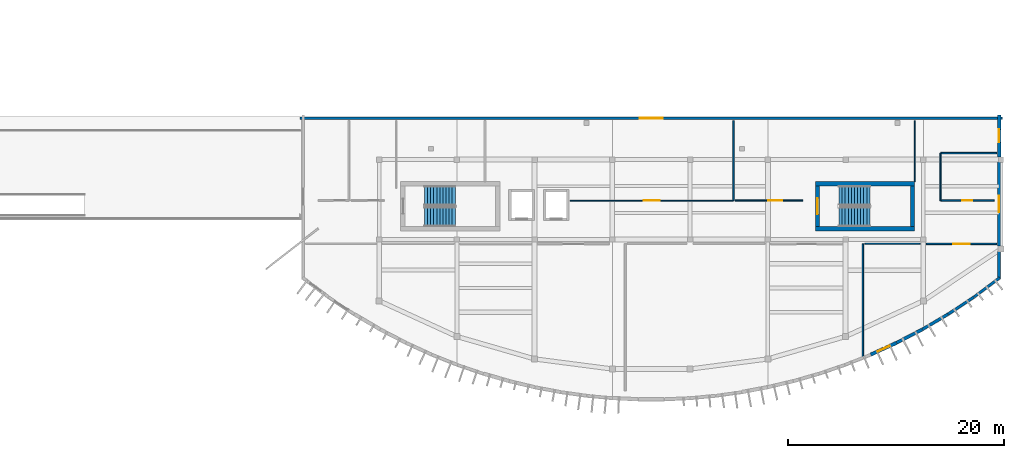
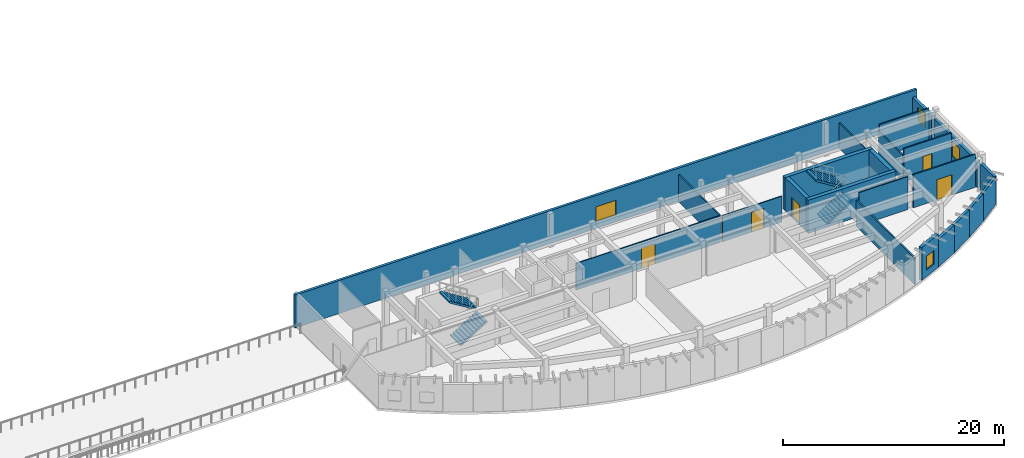
# One storey, part 23 of 32: 23 walls, 5 doors, 4 stair flights, 4 windows, 9 openings, 2 elements without a shape of their own.
"""IFC4 building model written with IfcOpenShell, lengths in metres."""

from ifc_helpers import new_model, si_unit, direction, frame, frame_2d, origin, place, context, subcontext, project, spatial, polyline, rectangle, outline, extrude, material, layer, layer_set, type_object, element, fill, aggregate, save


model = new_model("IFC4")

# Units and contexts
model_context = context("Model", 3, precision=1e-05, world=origin(), true_north=direction((0.0, 1.0)))
body_context = subcontext(model_context, "Body", "Model", "MODEL_VIEW")
ifc_project = project(units=[si_unit("LENGTHUNIT", "METRE"), si_unit("AREAUNIT", "SQUARE_METRE"), si_unit("VOLUMEUNIT", "CUBIC_METRE"), si_unit("PLANEANGLEUNIT", "RADIAN"), si_unit("MASSUNIT", "GRAM", prefix="KILO")], contexts=[model_context])

# Site, building, storey
site_placement = place(None, origin())
site = spatial("IfcSite", under=ifc_project, at=site_placement, CompositionType="ELEMENT")
building_placement = place(site_placement, origin())
building = spatial("IfcBuilding", under=site, at=building_placement, Name="Brisavento Harbour Community Centre", CompositionType="ELEMENT")
storey_placement = place(building_placement, frame((0.0, 0.0, 12.89990234375)))
storey = spatial("IfcBuildingStorey", under=building, at=storey_placement, Name="L03", CompositionType="ELEMENT", Elevation=12.89990234375)

# Walls
ifc_material_1 = material(Name="Concrete C40/50", Category="concrete")
ifc_layer_1 = layer(ifc_material_1, 0.39990234375, Name="Concrete C40/50")
ifc_layer_set_1 = layer_set([ifc_layer_1], Name="Concrete C40/50")
wall_type_1 = type_object("IfcWallType", Name="WL-CORE-400", PredefinedType="SHEAR", material=ifc_layer_set_1)
for number, where, z_axis, x_axis, name in (
    (1, (155.60009765625, 16.0, 0.0), (0.0, 0.0, 1.0), (1.0, 0.0, 0.0), "L03 core C3B shear wall L"),
    (2, (164.800048828125, 20.14990234375, 0.0), (0.0, 0.0, 1.0), (-1.0, 0.0, 0.0), "L03 core C3B shear wall R"),
):
    element("IfcWall", number, at=place(storey_placement, frame(where, z_axis=z_axis, x_axis=x_axis)), inside=storey, type_object=wall_type_1, Name=name, PredefinedType="SHEAR", context=body_context, shape_type="SweptSolid", body=[
        extrude(rectangle(XDim=9.199951171875, YDim=0.39990234375, at=frame_2d((4.60009765625, 0.0))), origin(), (0.0, 0.0, 1.0), 3.66015625),
    ])
wall_1_placement = place(storey_placement, frame((164.60009765625, 16.199951171875, 0.0), z_axis=(0.0, 0.0, 1.0), x_axis=(0.0, 1.0, 0.0)))
element("IfcWall", 3, at=wall_1_placement, inside=storey, type_object=wall_type_1, Name="L03 core C3B shear wall F", PredefinedType="SHEAR", context=body_context, shape_type="SweptSolid", body=[
    extrude(rectangle(XDim=3.75, YDim=0.39990234375, at=frame_2d((1.875, 0.0))), origin(), (0.0, 0.0, 1.0), 3.66015625),
])

# Wall, opening, door
wall_2_placement = place(storey_placement, frame((155.800048828125, 19.949951171875, 0.0), z_axis=(0.0, 0.0, 1.0), x_axis=(0.0, -1.0, 0.0)))
wall_2 = element("IfcWall", 4, at=wall_2_placement, inside=storey, type_object=wall_type_1, Name="L03 core C3B shear wall N", PredefinedType="SHEAR", context=body_context, shape_type="SweptSolid", body=[
    extrude(rectangle(XDim=3.75, YDim=0.39990234375, at=frame_2d((1.875, 0.0))), origin(), (0.0, 0.0, 1.0), 3.66015625),
])
opening_1_placement = place(wall_2_placement, frame((1.125, 0.0, 0.0)))
opening_1 = element("IfcOpeningElement", 5, at=opening_1_placement, cuts=wall_2, Name="Opening SD-01", PredefinedType="OPENING", context=body_context, shape_type="SweptSolid", body=[
    extrude(rectangle(XDim=1.5, YDim=2.199951171875, at=frame_2d((0.75, 1.10009765625))), frame((0.0, 0.2099609375, 0.0), z_axis=(0.0, -1.0, 0.0), x_axis=(1.0, 0.0, 0.0)), (0.0, 0.0, 1.0), 0.419921875),
])
ifc_material_2 = material(Name="Fire-rated steel door assembly", Category="steel")
door_type_1 = type_object("IfcDoorType", Name="DR-STAIR-150x220", OperationType="NOTDEFINED", PredefinedType="DOOR", material=ifc_material_2)
door_1_placement = place(opening_1_placement, origin())
door_1 = element("IfcDoor", 6, at=door_1_placement, inside=storey, type_object=door_type_1, Name="L03 exit stair ST-05 fire door", OperationType="SINGLE_SWING_RIGHT", OverallHeight=2.199951171875, OverallWidth=1.5, PredefinedType="DOOR", context=body_context, shape_type="SweptSolid", body=[
    extrude(rectangle(XDim=1.5, YDim=2.199951171875, at=frame_2d((0.75, 1.10009765625))), frame((0.0, 0.02490234375, 0.0), z_axis=(0.0, -1.0, 0.0), x_axis=(1.0, 0.0, 0.0)), (0.0, 0.0, 1.0), 0.050048828125),
])
fill(opening_1, door_1)

# Walls
ifc_material_3 = material(Name="Terracotta masonry unit", Category="masonry")
ifc_layer_2 = layer(ifc_material_3, 0.239990234375, Name="Terracotta masonry unit")
ifc_layer_set_2 = layer_set([ifc_layer_2], Name="Terracotta masonry unit")
wall_type_2 = type_object("IfcWallType", Name="WL-EXT-240", PredefinedType="SOLIDWALL", material=ifc_layer_set_2)
wall_3_placement = place(storey_placement, frame((172.677490234375, 11.4609375, 0.0), z_axis=(0.0, 0.0, 1.0), x_axis=(-0.799802311873, -0.600263493744, 0.0)))
element("IfcWall", 7, at=wall_3_placement, inside=storey, type_object=wall_type_2, Name="L03 V3 exterior wall 0298", PredefinedType="SOLIDWALL", context=body_context, shape_type="SweptSolid", body=[
    extrude(rectangle(XDim=2.964599609375, YDim=0.239990234375, at=frame_2d((1.482421875, 0.0))), origin(), (0.0, 0.0, 1.0), 3.06005859375),
])
ifc_layer_3 = layer(ifc_material_3, 0.260009765625, Name="Terracotta masonry unit")
ifc_layer_set_3 = layer_set([ifc_layer_3], Name="Terracotta masonry unit")
wall_type_3 = type_object("IfcWallType", Name="WL-EXT-260", PredefinedType="SOLIDWALL", material=ifc_layer_set_3)
wall_4_placement = place(storey_placement, frame((170.285400390625, 9.66650390625, 0.0), z_axis=(0.0, 0.0, 1.0), x_axis=(-0.83248539698, -0.55404698701, 0.0)))
element("IfcWall", 8, at=wall_4_placement, inside=storey, type_object=wall_type_3, Name="L03 V3 exterior wall 0297", PredefinedType="SOLIDWALL", context=body_context, shape_type="SweptSolid", body=[
    extrude(rectangle(XDim=2.846923828125, YDim=0.260009765625, at=frame_2d((1.42333984375, 0.0))), origin(), (0.0, 0.0, 1.0), 3.06005859375),
])

# Wall, opening, window
wall_5_placement = place(storey_placement, frame((107.85009765625, 26.219970703125, 0.0), z_axis=(0.0, 0.0, 1.0), x_axis=(1.0, 0.0, 0.0)))
wall_5 = element("IfcWall", 9, at=wall_5_placement, inside=storey, type_object=wall_type_3, Name="L03 V3 exterior wall 0302", PredefinedType="SOLIDWALL", context=body_context, shape_type="SweptSolid", body=[
    extrude(rectangle(XDim=65.099853515625, YDim=0.260009765625, at=frame_2d((32.5498046875, 0.0))), origin(), (0.0, 0.0, 1.0), 3.66015625),
])
opening_2_placement = place(wall_5_placement, frame((31.5, 0.0, 0.75)))
opening_2 = element("IfcOpeningElement", 10, at=opening_2_placement, cuts=wall_5, Name="Opening W-22", PredefinedType="OPENING", context=body_context, shape_type="SweptSolid", body=[
    extrude(rectangle(XDim=2.10009765625, YDim=1.64990234375, at=frame_2d((1.050048828125, 0.824951171875))), frame((0.0, 0.14013671875, 0.0), z_axis=(0.0, -1.0, 0.0), x_axis=(1.0, 0.0, 0.0)), (0.0, 0.0, 1.0), 0.280029296875),
])
ifc_material_4 = material(Name="Solar-control laminated low-E glass", Category="glass")
window_type_1 = type_object("IfcWindowType", Name="WIN-CAS-22", PartitioningType="SINGLE_PANEL", PredefinedType="WINDOW", material=ifc_material_4)
window_1_placement = place(opening_2_placement, origin())
window_1 = element("IfcWindow", 11, at=window_1_placement, inside=storey, type_object=window_type_1, Name="L03 V3 impact casement window 0166", OverallHeight=1.64990234375, OverallWidth=2.10009765625, PartitioningType="SINGLE_PANEL", PredefinedType="WINDOW", context=body_context, shape_type="SweptSolid", body=[
    extrude(rectangle(XDim=2.10009765625, YDim=1.64990234375, at=frame_2d((1.050048828125, 0.824951171875))), frame((0.0, 0.030029296875, 0.0), z_axis=(0.0, -1.0, 0.0), x_axis=(1.0, 0.0, 0.0)), (0.0, 0.0, 1.0), 0.06005859375),
])
fill(opening_2, window_1)

# Walls
ifc_material_5 = material(Name="Precast concrete C40/50", Category="concrete")
ifc_layer_4 = layer(ifc_material_5, 0.280029296875, Name="Precast concrete C40/50")
ifc_layer_set_4 = layer_set([ifc_layer_4], Name="Precast concrete C40/50")
wall_type_4 = type_object("IfcWallType", Name="WL-EXT-280", PredefinedType="SOLIDWALL", material=ifc_layer_set_4)
wall_6_placement = place(storey_placement, frame((167.89306640625, 8.0751953125, 0.0), z_axis=(0.0, 0.0, 1.0), x_axis=(-0.861415701697, -0.507900569866, 0.0)))
element("IfcWall", 12, at=wall_6_placement, inside=storey, type_object=wall_type_4, Name="L03 V3 exterior wall 0296", PredefinedType="SOLIDWALL", context=body_context, shape_type="SweptSolid", body=[
    extrude(rectangle(XDim=2.75, YDim=0.280029296875, at=frame_2d((1.375, 0.0))), origin(), (0.0, 0.0, 1.0), 3.06005859375),
])
wall_7_placement = place(storey_placement, frame((172.6201171875, 13.867919921875, 0.0), z_axis=(0.0, 0.0, 1.0), x_axis=(0.0, -1.0, 0.0)))
element("IfcWall", 13, at=wall_7_placement, inside=storey, type_object=wall_type_4, Name="L03 V3 exterior wall 0301", PredefinedType="SOLIDWALL", context=body_context, shape_type="SweptSolid", body=[
    extrude(rectangle(XDim=2.522216796875, YDim=0.280029296875, at=frame_2d((1.26123046875, 0.0))), origin(), (0.0, 0.0, 1.0), 3.06005859375),
])
ifc_material_6 = material(Name="Concrete C35/45", Category="concrete")
ifc_layer_5 = layer(ifc_material_6, 0.300048828125, Name="Concrete C35/45")
ifc_layer_set_5 = layer_set([ifc_layer_5], Name="Concrete C35/45")
wall_type_5 = type_object("IfcWallType", Name="WL-EXT-300", PredefinedType="SOLIDWALL", material=ifc_layer_set_5)
wall_8_placement = place(storey_placement, frame((165.5009765625, 6.66552734375, 0.0), z_axis=(0.0, 0.0, 1.0), x_axis=(-0.887067024949, -0.461640653808, 0.0)))
element("IfcWall", 14, at=wall_8_placement, inside=storey, type_object=wall_type_5, Name="L03 V3 exterior wall 0295", PredefinedType="SOLIDWALL", context=body_context, shape_type="SweptSolid", body=[
    extrude(rectangle(XDim=2.669677734375, YDim=0.300048828125, at=frame_2d((1.3349609375, 0.0))), origin(), (0.0, 0.0, 1.0), 3.06005859375),
])

# Wall, opening, window
wall_9_placement = place(storey_placement, frame((172.6201171875, 22.1650390625, 0.0), z_axis=(0.0, 0.0, 1.0), x_axis=(0.0, -1.0, 0.0)))
wall_9 = element("IfcWall", 15, at=wall_9_placement, inside=storey, type_object=wall_type_5, Name="L03 V3 exterior wall 0300", PredefinedType="SOLIDWALL", context=body_context, shape_type="SweptSolid", body=[
    extrude(rectangle(XDim=7.777099609375, YDim=0.300048828125, at=frame_2d((3.888671875, 0.0))), origin(), (0.0, 0.0, 1.0), 2.91015625),
])
opening_3_placement = place(wall_9_placement, frame((3.138427734375, 0.0, 0.75)))
opening_3 = element("IfcOpeningElement", 16, at=opening_3_placement, cuts=wall_9, Name="Opening W-20", PredefinedType="OPENING", context=body_context, shape_type="SweptSolid", body=[
    extrude(rectangle(XDim=1.5, YDim=1.64990234375, at=frame_2d((0.75, 0.824951171875))), frame((0.0, 0.16015625, 0.0), z_axis=(0.0, -1.0, 0.0), x_axis=(1.0, 0.0, 0.0)), (0.0, 0.0, 1.0), 0.320068359375),
])
window_type_2 = type_object("IfcWindowType", Name="WIN-CAS-20", PartitioningType="SINGLE_PANEL", PredefinedType="WINDOW", material=ifc_material_4)
window_2_placement = place(opening_3_placement, origin())
window_2 = element("IfcWindow", 17, at=window_2_placement, inside=storey, type_object=window_type_2, Name="L03 V3 impact casement window 0164", OverallHeight=1.64990234375, OverallWidth=1.5, PartitioningType="SINGLE_PANEL", PredefinedType="WINDOW", context=body_context, shape_type="SweptSolid", body=[
    extrude(rectangle(XDim=1.5, YDim=1.64990234375, at=frame_2d((0.75, 0.824951171875))), frame((0.0, 0.030029296875, 0.0), z_axis=(0.0, -1.0, 0.0), x_axis=(1.0, 0.0, 0.0)), (0.0, 0.0, 1.0), 0.06005859375),
])
fill(opening_3, window_2)

ifc_layer_6 = layer(ifc_material_6, 0.320068359375, Name="Concrete C35/45")
ifc_layer_set_6 = layer_set([ifc_layer_6], Name="Concrete C35/45")
wall_type_6 = type_object("IfcWallType", Name="WL-EXT-320", PredefinedType="SOLIDWALL", material=ifc_layer_set_6)
wall_10_placement = place(storey_placement, frame((163.10888671875, 5.421142578125, 0.0), z_axis=(0.0, 0.0, 1.0), x_axis=(-0.90959706885, -0.415491482873, 0.0)))
wall_10 = element("IfcWall", 18, at=wall_10_placement, inside=storey, type_object=wall_type_6, Name="L03 V3 exterior wall 0294", PredefinedType="SOLIDWALL", context=body_context, shape_type="SweptSolid", body=[
    extrude(rectangle(XDim=2.6025390625, YDim=0.320068359375, at=frame_2d((1.30126953125, 0.0))), origin(), (0.0, 0.0, 1.0), 3.66015625),
])
opening_4_placement = place(wall_10_placement, frame((0.701171875, 0.0, 0.75)))
opening_4 = element("IfcOpeningElement", 19, at=opening_4_placement, cuts=wall_10, Name="Opening W-14", PredefinedType="OPENING", context=body_context, shape_type="SweptSolid", body=[
    extrude(rectangle(XDim=1.199951171875, YDim=1.5, at=frame_2d((0.60009765625, 0.75))), frame((0.0, 0.169921875, 0.0), z_axis=(0.0, -1.0, 0.0), x_axis=(1.0, 0.0, 0.0)), (0.0, 0.0, 1.0), 0.340087890625),
])
window_type_3 = type_object("IfcWindowType", Name="WIN-CAS-14", PartitioningType="SINGLE_PANEL", PredefinedType="WINDOW", material=ifc_material_4)
window_3_placement = place(opening_4_placement, origin())
window_3 = element("IfcWindow", 20, at=window_3_placement, inside=storey, type_object=window_type_3, Name="L03 V3 impact casement window 0158", OverallHeight=1.5, OverallWidth=1.199951171875, PartitioningType="SINGLE_PANEL", PredefinedType="WINDOW", context=body_context, shape_type="SweptSolid", body=[
    extrude(rectangle(XDim=1.199951171875, YDim=1.5, at=frame_2d((0.60009765625, 0.75))), frame((0.0, 0.030029296875, 0.0), z_axis=(0.0, -1.0, 0.0), x_axis=(1.0, 0.0, 0.0)), (0.0, 0.0, 1.0), 0.06005859375),
])
fill(opening_4, window_3)

wall_11_placement = place(storey_placement, frame((172.6201171875, 26.550048828125, 0.0), z_axis=(0.0, 0.0, 1.0), x_axis=(0.0, -1.0, 0.0)))
wall_11 = element("IfcWall", 21, at=wall_11_placement, inside=storey, type_object=wall_type_6, Name="L03 V3 exterior wall 0299", PredefinedType="SOLIDWALL", context=body_context, shape_type="SweptSolid", body=[
    extrude(rectangle(XDim=3.9150390625, YDim=0.320068359375, at=frame_2d((1.95751953125, 0.0))), origin(), (0.0, 0.0, 1.0), 2.91015625),
])
opening_5_placement = place(wall_11_placement, frame((1.357421875, 0.0, 0.75)))
opening_5 = element("IfcOpeningElement", 22, at=opening_5_placement, cuts=wall_11, Name="Opening W-19", PredefinedType="OPENING", context=body_context, shape_type="SweptSolid", body=[
    extrude(rectangle(XDim=1.199951171875, YDim=1.64990234375, at=frame_2d((0.60009765625, 0.824951171875))), frame((0.0, 0.169921875, 0.0), z_axis=(0.0, -1.0, 0.0), x_axis=(1.0, 0.0, 0.0)), (0.0, 0.0, 1.0), 0.340087890625),
])
window_type_4 = type_object("IfcWindowType", Name="WIN-CAS-19", PartitioningType="SINGLE_PANEL", PredefinedType="WINDOW", material=ifc_material_4)
window_4_placement = place(opening_5_placement, origin())
window_4 = element("IfcWindow", 23, at=window_4_placement, inside=storey, type_object=window_type_4, Name="L03 V3 impact casement window 0163", OverallHeight=1.64990234375, OverallWidth=1.199951171875, PartitioningType="SINGLE_PANEL", PredefinedType="WINDOW", context=body_context, shape_type="SweptSolid", body=[
    extrude(rectangle(XDim=1.199951171875, YDim=1.64990234375, at=frame_2d((0.60009765625, 0.824951171875))), frame((0.0, 0.030029296875, 0.0), z_axis=(0.0, -1.0, 0.0), x_axis=(1.0, 0.0, 0.0)), (0.0, 0.0, 1.0), 0.06005859375),
])
fill(opening_5, window_4)

# Wall, opening, door
ifc_material_7 = material(Name="Lightweight stud partition", Category="other")
ifc_layer_7 = layer(ifc_material_7, 0.10009765625, Name="Lightweight stud partition")
ifc_layer_set_7 = layer_set([ifc_layer_7], Name="Lightweight stud partition")
wall_type_7 = type_object("IfcWallType", Name="WL-PRT-100", PredefinedType="PARTITIONING", material=ifc_layer_set_7)
wall_12_placement = place(storey_placement, frame((132.909912109375, 18.60009765625, 0.0), z_axis=(0.0, 0.0, 1.0), x_axis=(1.0, 0.0, 0.0)))
wall_12 = element("IfcWall", 24, at=wall_12_placement, inside=storey, type_object=wall_type_7, Name="L03 Adult Classroom 302 partition 0267", PredefinedType="PARTITIONING", context=body_context, shape_type="SweptSolid", body=[
    extrude(rectangle(XDim=15.090087890625, YDim=0.10009765625, at=frame_2d((7.544921875, 0.0))), origin(), (0.0, 0.0, 1.0), 2.960205078125),
])
opening_6_placement = place(wall_12_placement, frame((6.820068359375, 0.0, 0.0)))
opening_6 = element("IfcOpeningElement", 25, at=opening_6_placement, cuts=wall_12, Name="Opening ID-04", PredefinedType="OPENING", context=body_context, shape_type="SweptSolid", body=[
    extrude(rectangle(XDim=1.449951171875, YDim=2.25, at=frame_2d((0.72509765625, 1.125))), frame((0.0, 0.06005859375, 0.0), z_axis=(0.0, -1.0, 0.0), x_axis=(1.0, 0.0, 0.0)), (0.0, 0.0, 1.0), 0.1201171875),
])
ifc_material_8 = material(Name="Solid-core tropical timber door", Category="wood")
door_type_2 = type_object("IfcDoorType", Name="DR-INT-145x225", OperationType="NOTDEFINED", PredefinedType="DOOR", material=ifc_material_8)
door_2_placement = place(opening_6_placement, origin())
door_2 = element("IfcDoor", 26, at=door_2_placement, inside=storey, type_object=door_type_2, Name="L03 Adult Classroom 302 door 0103", OperationType="SINGLE_SWING_RIGHT", OverallHeight=2.25, OverallWidth=1.449951171875, PredefinedType="DOOR", context=body_context, shape_type="SweptSolid", body=[
    extrude(rectangle(XDim=1.449951171875, YDim=2.25, at=frame_2d((0.72509765625, 1.125))), frame((0.0, 0.02490234375, 0.0), z_axis=(0.0, -1.0, 0.0), x_axis=(1.0, 0.0, 0.0)), (0.0, 0.0, 1.0), 0.050048828125),
])
fill(opening_6, door_2)

# Walls
wall_13_placement = place(storey_placement, frame((164.800048828125, 20.3330078125, 0.0), z_axis=(0.0, 0.0, 1.0), x_axis=(0.0, 1.0, 0.0)))
element("IfcWall", 27, at=wall_13_placement, inside=storey, type_object=wall_type_7, Name="L03 Group Study Seminar Room 303 partition 0271", PredefinedType="PARTITIONING", context=body_context, shape_type="SweptSolid", body=[
    extrude(rectangle(XDim=5.6669921875, YDim=0.10009765625, at=frame_2d((2.83349609375, 0.0))), origin(), (0.0, 0.0, 1.0), 2.860107421875),
])
ifc_material_9 = material(Name="Gypsum metal-stud partition", Category="other")
ifc_layer_8 = layer(ifc_material_9, 0.1201171875, Name="Gypsum metal-stud partition")
ifc_layer_set_8 = layer_set([ifc_layer_8], Name="Gypsum metal-stud partition")
wall_type_8 = type_object("IfcWallType", Name="WL-PRT-120", PredefinedType="PARTITIONING", material=ifc_layer_set_8)
wall_14_placement = place(storey_placement, frame((165.31005859375, 14.60009765625, 0.0), z_axis=(0.0, 0.0, 1.0), x_axis=(-1.0, 0.0, 0.0)))
element("IfcWall", 28, at=wall_14_placement, inside=storey, type_object=wall_type_8, Name="L03 Youth Study Commons partition 0266", PredefinedType="PARTITIONING", context=body_context, shape_type="SweptSolid", body=[
    extrude(rectangle(XDim=5.110107421875, YDim=0.1201171875, at=frame_2d((2.55517578125, 0.0))), origin(), (0.0, 0.0, 1.0), 3.66015625),
])

# Wall, opening, door
wall_15_placement = place(storey_placement, frame((148.199951171875, 18.60009765625, 0.0), z_axis=(0.0, 0.0, 1.0), x_axis=(1.0, 0.0, 0.0)))
wall_15 = element("IfcWall", 29, at=wall_15_placement, inside=storey, type_object=wall_type_8, Name="L03 Group Study Seminar Room 303 partition 0270", PredefinedType="PARTITIONING", context=body_context, shape_type="SweptSolid", body=[
    extrude(rectangle(XDim=6.239990234375, YDim=0.1201171875, at=frame_2d((3.1201171875, 0.0))), origin(), (0.0, 0.0, 1.0), 2.860107421875),
])
opening_7_placement = place(wall_15_placement, frame((3.044921875, 0.0, 0.0)))
opening_7 = element("IfcOpeningElement", 30, at=opening_7_placement, cuts=wall_15, Name="Opening ID-05", PredefinedType="OPENING", context=body_context, shape_type="SweptSolid", body=[
    extrude(rectangle(XDim=1.300048828125, YDim=2.199951171875, at=frame_2d((0.64990234375, 1.10009765625))), frame((0.0, 0.070068359375, 0.0), z_axis=(0.0, -1.0, 0.0), x_axis=(1.0, 0.0, 0.0)), (0.0, 0.0, 1.0), 0.14013671875),
])
door_type_3 = type_object("IfcDoorType", Name="DR-INT-130x220", OperationType="NOTDEFINED", PredefinedType="DOOR", material=ifc_material_8)
door_3_placement = place(opening_7_placement, origin())
door_3 = element("IfcDoor", 31, at=door_3_placement, inside=storey, type_object=door_type_3, Name="L03 Group Study Seminar Room 303 door 0104", OperationType="SINGLE_SWING_LEFT", OverallHeight=2.199951171875, OverallWidth=1.300048828125, PredefinedType="DOOR", context=body_context, shape_type="SweptSolid", body=[
    extrude(rectangle(XDim=1.300048828125, YDim=2.199951171875, at=frame_2d((0.64990234375, 1.10009765625))), frame((0.0, 0.02490234375, 0.0), z_axis=(0.0, -1.0, 0.0), x_axis=(1.0, 0.0, 0.0)), (0.0, 0.0, 1.0), 0.050048828125),
])
fill(opening_7, door_3)

# Wall
wall_16_placement = place(storey_placement, frame((167.199951171875, 23.0, 0.0), z_axis=(0.0, 0.0, 1.0), x_axis=(0.0, -1.0, 0.0)))
element("IfcWall", 32, at=wall_16_placement, inside=storey, type_object=wall_type_8, Name="L03 Accessible WC L03 partition 0278", PredefinedType="PARTITIONING", context=body_context, shape_type="SweptSolid", body=[
    extrude(rectangle(XDim=4.39990234375, YDim=0.1201171875, at=frame_2d((2.199951171875, 0.0))), origin(), (0.0, 0.0, 1.0), 2.91015625),
])

# Wall, opening, door
ifc_layer_9 = layer(ifc_material_9, 0.139892578125, Name="Gypsum metal-stud partition")
ifc_layer_set_9 = layer_set([ifc_layer_9], Name="Gypsum metal-stud partition")
wall_type_9 = type_object("IfcWallType", Name="WL-PRT-140", PredefinedType="PARTITIONING", material=ifc_layer_set_9)
wall_17_placement = place(storey_placement, frame((172.39990234375, 14.60009765625, 0.0), z_axis=(0.0, 0.0, 1.0), x_axis=(-1.0, 0.0, 0.0)))
wall_17 = element("IfcWall", 33, at=wall_17_placement, inside=storey, type_object=wall_type_9, Name="L03 Youth Study Commons partition 0265", PredefinedType="PARTITIONING", context=body_context, shape_type="SweptSolid", body=[
    extrude(rectangle(XDim=6.510009765625, YDim=0.139892578125, at=frame_2d((3.2548828125, 0.0))), origin(), (0.0, 0.0, 1.0), 3.66015625),
])
opening_8_placement = place(wall_17_placement, frame((2.47998046875, 0.0, 0.0)))
opening_8 = element("IfcOpeningElement", 34, at=opening_8_placement, cuts=wall_17, Name="Opening ID-03", PredefinedType="OPENING", context=body_context, shape_type="SweptSolid", body=[
    extrude(rectangle(XDim=1.550048828125, YDim=2.25, at=frame_2d((0.77490234375, 1.125))), frame((0.0, 0.080078125, 0.0), z_axis=(0.0, -1.0, 0.0), x_axis=(1.0, 0.0, 0.0)), (0.0, 0.0, 1.0), 0.159912109375),
])
door_type_4 = type_object("IfcDoorType", Name="DR-INT-155x225", OperationType="NOTDEFINED", PredefinedType="DOOR", material=ifc_material_8)
door_4_placement = place(opening_8_placement, origin())
door_4 = element("IfcDoor", 35, at=door_4_placement, inside=storey, type_object=door_type_4, Name="L03 Youth Study Commons door 0102", OperationType="SINGLE_SWING_LEFT", OverallHeight=2.25, OverallWidth=1.550048828125, PredefinedType="DOOR", context=body_context, shape_type="SweptSolid", body=[
    extrude(rectangle(XDim=1.550048828125, YDim=2.25, at=frame_2d((0.77490234375, 1.125))), frame((0.0, 0.02490234375, 0.0), z_axis=(0.0, -1.0, 0.0), x_axis=(1.0, 0.0, 0.0)), (0.0, 0.0, 1.0), 0.050048828125),
])
fill(opening_8, door_4)

# Walls
wall_18_placement = place(storey_placement, frame((148.0, 18.60009765625, 0.0), z_axis=(0.0, 0.0, 1.0), x_axis=(0.0, 1.0, 0.0)))
element("IfcWall", 36, at=wall_18_placement, inside=storey, type_object=wall_type_9, Name="L03 Adult Classroom 302 partition 0269", PredefinedType="PARTITIONING", context=body_context, shape_type="SweptSolid", body=[
    extrude(rectangle(XDim=7.39990234375, YDim=0.139892578125, at=frame_2d((3.699951171875, 0.0))), origin(), (0.0, 0.0, 1.0), 3.010009765625),
])
wall_19_placement = place(storey_placement, frame((172.39990234375, 23.0, 0.0), z_axis=(0.0, 0.0, 1.0), x_axis=(-1.0, 0.0, 0.0)))
element("IfcWall", 37, at=wall_19_placement, inside=storey, type_object=wall_type_9, Name="L03 Accessible WC L03 partition 0277", PredefinedType="PARTITIONING", context=body_context, shape_type="SweptSolid", body=[
    extrude(rectangle(XDim=5.199951171875, YDim=0.139892578125, at=frame_2d((2.60009765625, 0.0))), origin(), (0.0, 0.0, 1.0), 3.66015625),
])
ifc_material_10 = material(Name="Moisture-resistant stud partition", Category="other")
ifc_layer_10 = layer(ifc_material_10, 0.14990234375, Name="Moisture-resistant stud partition")
ifc_layer_set_10 = layer_set([ifc_layer_10], Name="Moisture-resistant stud partition")
wall_type_10 = type_object("IfcWallType", Name="WL-PRT-150", PredefinedType="PARTITIONING", material=ifc_layer_set_10)
wall_20_placement = place(storey_placement, frame((160.0, 4.001220703125, 0.0), z_axis=(0.0, 0.0, 1.0), x_axis=(0.0, 1.0, 0.0)))
element("IfcWall", 38, at=wall_20_placement, inside=storey, type_object=wall_type_10, Name="L03 Public Library Reference Hall partition 0264", PredefinedType="PARTITIONING", context=body_context, shape_type="SweptSolid", body=[
    extrude(rectangle(XDim=10.598876953125, YDim=0.14990234375, at=frame_2d((5.29931640625, 0.0))), origin(), (0.0, 0.0, 1.0), 2.900146484375),
])

# Wall, opening, door
wall_21_placement = place(storey_placement, frame((167.199951171875, 18.60009765625, 0.0), z_axis=(0.0, 0.0, 1.0), x_axis=(1.0, 0.0, 0.0)))
wall_21 = element("IfcWall", 39, at=wall_21_placement, inside=storey, type_object=wall_type_10, Name="L03 Accessible WC L03 partition 0276", PredefinedType="PARTITIONING", context=body_context, shape_type="SweptSolid", body=[
    extrude(rectangle(XDim=4.969970703125, YDim=0.14990234375, at=frame_2d((2.48486328125, 0.0))), origin(), (0.0, 0.0, 1.0), 3.66015625),
])
opening_9_placement = place(wall_21_placement, frame((2.02490234375, 0.0, 0.0)))
opening_9 = element("IfcOpeningElement", 40, at=opening_9_placement, cuts=wall_21, Name="Opening WD-01", PredefinedType="OPENING", context=body_context, shape_type="SweptSolid", body=[
    extrude(rectangle(XDim=0.919921875, YDim=2.10009765625, at=frame_2d((0.4599609375, 1.050048828125))), frame((0.0, 0.0849609375, 0.0), z_axis=(0.0, -1.0, 0.0), x_axis=(1.0, 0.0, 0.0)), (0.0, 0.0, 1.0), 0.169921875),
])
ifc_material_11 = material(Name="Moisture-resistant laminate door", Category="other")
door_type_5 = type_object("IfcDoorType", Name="DR-WC-092x210", OperationType="NOTDEFINED", PredefinedType="DOOR", material=ifc_material_11)
door_5_placement = place(opening_9_placement, origin())
door_5 = element("IfcDoor", 41, at=door_5_placement, inside=storey, type_object=door_type_5, Name="L03 Accessible WC L03 door 0107", OperationType="SINGLE_SWING_RIGHT", OverallHeight=2.10009765625, OverallWidth=0.919921875, PredefinedType="DOOR", context=body_context, shape_type="SweptSolid", body=[
    extrude(rectangle(XDim=0.919921875, YDim=2.10009765625, at=frame_2d((0.4599609375, 1.050048828125))), frame((0.0, 0.02490234375, 0.0), z_axis=(0.0, -1.0, 0.0), x_axis=(1.0, 0.0, 0.0)), (0.0, 0.0, 1.0), 0.050048828125),
])
fill(opening_9, door_5)

# Stair, stair flights
stair_type = type_object("IfcStairType", Name="STR-DL-3900", PredefinedType="HALF_TURN_STAIR", material=ifc_material_6)
stair_1_placement = place(storey_placement, origin())
stair_1 = element("IfcStair", 42, at=stair_1_placement, inside=storey, type_object=stair_type, Name="L03 ST-04", PredefinedType="HALF_TURN_STAIR")
stair_flight_type = type_object("IfcStairFlightType", Name="FLT-DL-3900", PredefinedType="STRAIGHT", material=ifc_material_6)
stair_flight_1_placement = place(storey_placement, frame((119.39990234375, 17.10009765625, 0.0), z_axis=(0.0, 0.0, 1.0), x_axis=(1.0, 0.0, 0.0)))
stair_flight_1 = element("IfcStairFlight", 43, at=stair_flight_1_placement, type_object=stair_flight_type, Name="ST-04 flight 1", NumberOfRisers=11, NumberOfTreads=10, PredefinedType="STRAIGHT", RiserHeight=0.177272727, TreadLength=0.285, context=body_context, shape_type="SweptSolid", body=[
    extrude(outline(polyline([(0.0, 0.0), (0.0, 0.17724609375), (0.284912109375, 0.17724609375), (0.284912109375, 0.3544921875), (0.570068359375, 0.3544921875), (0.570068359375, 0.53173828125), (0.85498046875, 0.53173828125), (0.85498046875, 0.708984375), (1.139892578125, 0.708984375), (1.139892578125, 0.886474609375), (1.425048828125, 0.886474609375), (1.425048828125, 1.063720703125), (1.7099609375, 1.063720703125), (1.7099609375, 1.240966796875), (1.9951171875, 1.240966796875), (1.9951171875, 1.418212890625), (2.280029296875, 1.418212890625), (2.280029296875, 1.595458984375), (2.56494140625, 1.595458984375), (2.56494140625, 1.772705078125), (2.85009765625, 1.772705078125), (2.85009765625, 1.949951171875), (2.85009765625, 1.59619140625), (0.283935546875, 0.0), (0.0, 0.0)])), frame((0.0, 0.89990234375, 0.0), z_axis=(0.0, -1.0, 0.0), x_axis=(1.0, 0.0, 0.0)), (0.0, 0.0, 1.0), 1.800048828125),
])
stair_flight_2_placement = place(storey_placement, frame((122.25, 19.050048828125, 1.9501953125), z_axis=(0.0, 0.0, 1.0), x_axis=(-1.0, 0.0, 0.0)))
stair_flight_2 = element("IfcStairFlight", 44, at=stair_flight_2_placement, type_object=stair_flight_type, Name="ST-04 flight 2", NumberOfRisers=11, NumberOfTreads=10, PredefinedType="STRAIGHT", RiserHeight=0.177272727, TreadLength=0.285, context=body_context, shape_type="SweptSolid", body=[
    extrude(outline(polyline([(0.0, 0.0), (0.0, 0.17724609375), (0.284912109375, 0.17724609375), (0.284912109375, 0.3544921875), (0.570068359375, 0.3544921875), (0.570068359375, 0.53173828125), (0.85498046875, 0.53173828125), (0.85498046875, 0.708984375), (1.139892578125, 0.708984375), (1.139892578125, 0.886474609375), (1.425048828125, 0.886474609375), (1.425048828125, 1.063720703125), (1.7099609375, 1.063720703125), (1.7099609375, 1.240966796875), (1.9951171875, 1.240966796875), (1.9951171875, 1.418212890625), (2.280029296875, 1.418212890625), (2.280029296875, 1.595458984375), (2.56494140625, 1.595458984375), (2.56494140625, 1.772705078125), (2.85009765625, 1.772705078125), (2.85009765625, 1.949951171875), (2.85009765625, 1.59619140625), (0.283935546875, 0.0), (0.0, 0.0)])), frame((0.0, 0.89990234375, 0.0), z_axis=(0.0, -1.0, 0.0), x_axis=(1.0, 0.0, 0.0)), (0.0, 0.0, 1.0), 1.800048828125),
])
aggregate(stair_1, [stair_flight_1, stair_flight_2])

stair_2_placement = place(storey_placement, origin())
stair_2 = element("IfcStair", 45, at=stair_2_placement, inside=storey, type_object=stair_type, Name="L03 ST-05", PredefinedType="HALF_TURN_STAIR")
stair_flight_3_placement = place(storey_placement, frame((157.800048828125, 17.10009765625, 0.0), z_axis=(0.0, 0.0, 1.0), x_axis=(1.0, 0.0, 0.0)))
stair_flight_3 = element("IfcStairFlight", 46, at=stair_flight_3_placement, type_object=stair_flight_type, Name="ST-05 flight 1", NumberOfRisers=11, NumberOfTreads=10, PredefinedType="STRAIGHT", RiserHeight=0.177272727, TreadLength=0.285, context=body_context, shape_type="SweptSolid", body=[
    extrude(outline(polyline([(0.0, 0.0), (0.0, 0.17724609375), (0.284912109375, 0.17724609375), (0.284912109375, 0.3544921875), (0.570068359375, 0.3544921875), (0.570068359375, 0.53173828125), (0.85498046875, 0.53173828125), (0.85498046875, 0.708984375), (1.139892578125, 0.708984375), (1.139892578125, 0.886474609375), (1.425048828125, 0.886474609375), (1.425048828125, 1.063720703125), (1.7099609375, 1.063720703125), (1.7099609375, 1.240966796875), (1.9951171875, 1.240966796875), (1.9951171875, 1.418212890625), (2.280029296875, 1.418212890625), (2.280029296875, 1.595458984375), (2.56494140625, 1.595458984375), (2.56494140625, 1.772705078125), (2.85009765625, 1.772705078125), (2.85009765625, 1.949951171875), (2.85009765625, 1.59619140625), (0.283935546875, 0.0), (0.0, 0.0)])), frame((0.0, 0.89990234375, 0.0), z_axis=(0.0, -1.0, 0.0), x_axis=(1.0, 0.0, 0.0)), (0.0, 0.0, 1.0), 1.800048828125),
])
stair_flight_4_placement = place(storey_placement, frame((160.64990234375, 19.050048828125, 1.9501953125), z_axis=(0.0, 0.0, 1.0), x_axis=(-1.0, 0.0, 0.0)))
stair_flight_4 = element("IfcStairFlight", 47, at=stair_flight_4_placement, type_object=stair_flight_type, Name="ST-05 flight 2", NumberOfRisers=11, NumberOfTreads=10, PredefinedType="STRAIGHT", RiserHeight=0.177272727, TreadLength=0.285, context=body_context, shape_type="SweptSolid", body=[
    extrude(outline(polyline([(0.0, 0.0), (0.0, 0.17724609375), (0.284912109375, 0.17724609375), (0.284912109375, 0.3544921875), (0.570068359375, 0.3544921875), (0.570068359375, 0.53173828125), (0.85498046875, 0.53173828125), (0.85498046875, 0.708984375), (1.139892578125, 0.708984375), (1.139892578125, 0.886474609375), (1.425048828125, 0.886474609375), (1.425048828125, 1.063720703125), (1.7099609375, 1.063720703125), (1.7099609375, 1.240966796875), (1.9951171875, 1.240966796875), (1.9951171875, 1.418212890625), (2.280029296875, 1.418212890625), (2.280029296875, 1.595458984375), (2.56494140625, 1.595458984375), (2.56494140625, 1.772705078125), (2.85009765625, 1.772705078125), (2.85009765625, 1.949951171875), (2.85009765625, 1.59619140625), (0.283935546875, 0.0), (0.0, 0.0)])), frame((0.0, 0.89990234375, 0.0), z_axis=(0.0, -1.0, 0.0), x_axis=(1.0, 0.0, 0.0)), (0.0, 0.0, 1.0), 1.800048828125),
])
aggregate(stair_2, [stair_flight_3, stair_flight_4])

save(model, "model.ifc")
